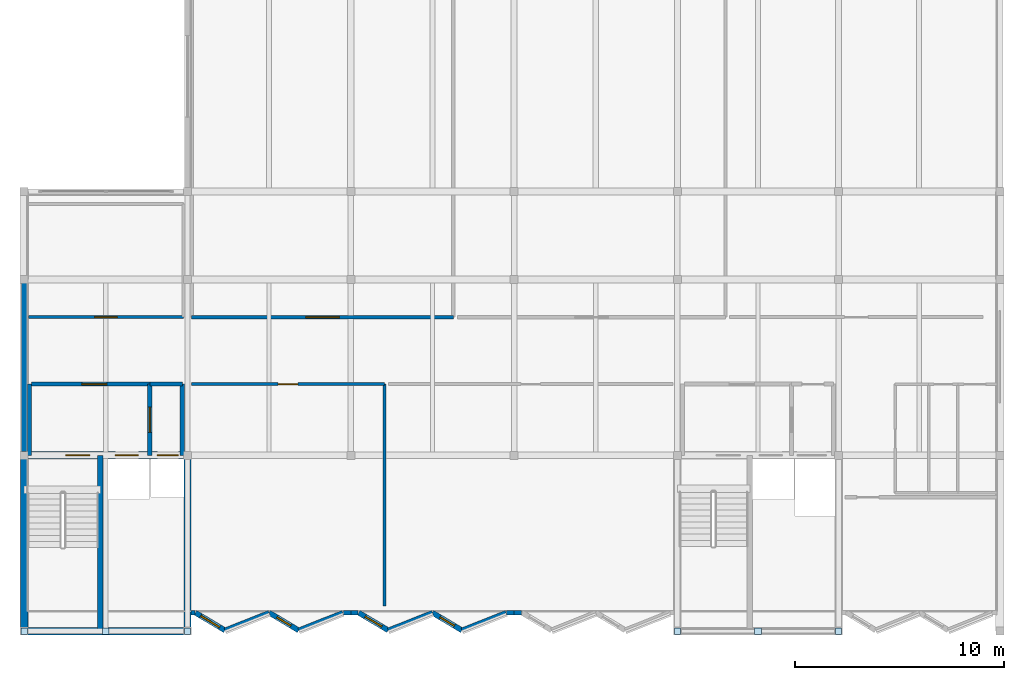
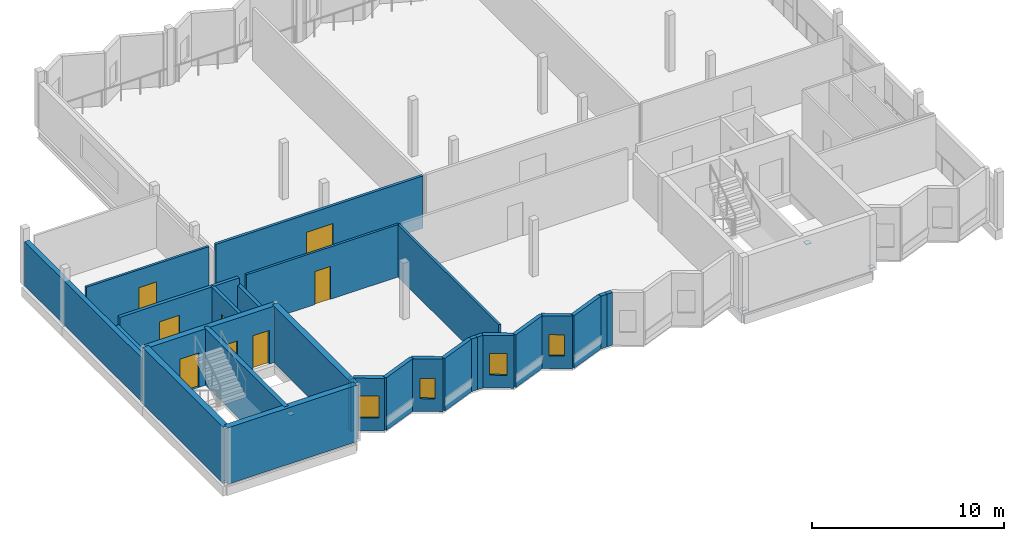
# One storey, part 4 of 11: 28 walls, 8 doors, 6 plates, 4 windows, 12 openings.
"""IFC4 building model written with IfcOpenShell, lengths in metres."""

import ifcopenshell
import ifcopenshell.guid

model = None  # the IFC model being written
_history = None  # IfcOwnerHistory: only IFC2X3 demands one
_inside = {}  # id of a spatial element -> (the spatial element, [elements in it])
_under = {}  # id of a project, library or spatial element -> (it, [spatial elements below it])
_declared = {}  # id of a project -> (the project, [libraries it declares])
_typed = {}  # id of a type object -> (the type object, [elements of that type])
_made_of = {}  # id of a material, layer set ... -> (it, [elements and type objects made of it])


def new_model(schema):
    """Start an empty IFC model of exactly this schema.

    Asked for "IFC4X3", IfcOpenShell would pick the latest addendum, in which some entities
    have other attributes; the version numbers below select the first issue.
    IFC2X3 requires an IfcOwnerHistory on every rooted entity: one is made here for all.
    """
    global model, _history
    if schema == "IFC4X3":
        model = ifcopenshell.file(schema_version=(4, 3, 0, 0))
    else:
        model = ifcopenshell.file(schema=schema)
    _inside.clear()
    _under.clear()
    _declared.clear()
    _typed.clear()
    _made_of.clear()
    _history = None
    if model.schema == "IFC2X3":
        org = make("IfcOrganization", Name="unknown")
        user = make(
            "IfcPersonAndOrganization",
            ThePerson=make("IfcPerson", FamilyName="unknown"),
            TheOrganization=org,
        )
        app = make(
            "IfcApplication",
            ApplicationDeveloper=org,
            Version="unknown",
            ApplicationFullName="unknown",
            ApplicationIdentifier="unknown",
        )
        _history = make(
            "IfcOwnerHistory",
            OwningUser=user,
            OwningApplication=app,
            ChangeAction="ADDED",
            CreationDate=0,
        )
    return model


def make(cls, **values):
    """One entity of the class cls with the attributes given. An attribute that is None is left unset."""
    return model.create_entity(
        cls, **{name: value for name, value in values.items() if value is not None}
    )


def rooted(cls, **values):
    """An entity with a GlobalId (a new one), such as an element, a storey or a relation."""
    return make(cls, GlobalId=ifcopenshell.guid.new(), OwnerHistory=_history, **values)


def si_unit(unit_type, name, prefix=None):
    """IfcSIUnit, for example si_unit("LENGTHUNIT", "METRE", prefix="MILLI")."""
    return make("IfcSIUnit", UnitType=unit_type, Prefix=prefix, Name=name)


def assignment(units):
    """IfcUnitAssignment: the units of a project."""
    return None if units is None else make("IfcUnitAssignment", Units=units)


def point(xyz):
    """IfcCartesianPoint."""
    return None if xyz is None else make("IfcCartesianPoint", Coordinates=xyz)


def direction(xyz):
    """IfcDirection."""
    return None if xyz is None else make("IfcDirection", DirectionRatios=xyz)


def frame(location, z_axis=None, x_axis=None):
    """IfcAxis2Placement3D, a coordinate frame: its origin and axes. An axis left out is left unset."""
    return make(
        "IfcAxis2Placement3D",
        Location=point(location),
        Axis=direction(z_axis),
        RefDirection=direction(x_axis),
    )


def frame_2d(location, x_axis=None):
    """IfcAxis2Placement2D, a coordinate frame in the plane: its origin and x axis."""
    return make(
        "IfcAxis2Placement2D", Location=point(location), RefDirection=direction(x_axis)
    )


def origin():
    """The frame at (0, 0, 0) with its axes left unset."""
    return frame((0.0, 0.0, 0.0))


def origin_2d():
    """The frame at (0, 0) in the plane with its x axis left unset."""
    return frame_2d((0.0, 0.0))


def place(relative_to, where):
    """IfcLocalPlacement: puts the frame where relative to a parent placement (None: the world)."""
    return make(
        "IfcLocalPlacement", PlacementRelTo=relative_to, RelativePlacement=where
    )


def context(
    kind, dimensions, precision=None, world=None, true_north=None, identifier=None
):
    """IfcGeometricRepresentationContext, for example the 3D "Model" context."""
    return make(
        "IfcGeometricRepresentationContext",
        ContextIdentifier=identifier,
        ContextType=kind,
        CoordinateSpaceDimension=dimensions,
        Precision=precision,
        WorldCoordinateSystem=world,
        TrueNorth=true_north,
    )


def subcontext(parent, identifier, kind, view, scale=None):
    """IfcGeometricRepresentationSubContext, for example "Body" below "Model"."""
    return make(
        "IfcGeometricRepresentationSubContext",
        ContextIdentifier=identifier,
        ContextType=kind,
        ParentContext=parent,
        TargetScale=scale,
        TargetView=view,
    )


def project(units=None, contexts=None):
    """IfcProject with its units and contexts."""
    return rooted(
        "IfcProject",
        Name="project",
        RepresentationContexts=contexts,
        UnitsInContext=assignment(units),
    )


def spatial(cls, under=None, at=None, **own):
    """A site, building, storey or space (cls), placed at a placement, below another one or the project."""
    s = rooted(cls, ObjectPlacement=at, **own)
    if under is not None:
        _under.setdefault(under.id(), (under, []))[1].append(s)
    return s


def profile(cls, at=None, kind="AREA", **sizes):
    """A parametric profile (cls). Its sizes go by their IFC names, for example OverallWidth=200.0."""
    return make(cls, ProfileType=kind, Position=at, **sizes)


def rectangle(**sizes):
    """IfcRectangleProfileDef."""
    return profile("IfcRectangleProfileDef", **sizes)


def extrude(swept, where, along, depth):
    """IfcExtrudedAreaSolid: the profile swept, set in the frame where, extruded along a direction by depth."""
    return make(
        "IfcExtrudedAreaSolid",
        SweptArea=swept,
        Position=where,
        ExtrudedDirection=direction(along),
        Depth=depth,
    )


def shape(context_of_items, identifier, shape_type, items):
    """IfcShapeRepresentation: the items that make up one representation, for example the "Body"."""
    return make(
        "IfcShapeRepresentation",
        ContextOfItems=context_of_items,
        RepresentationIdentifier=identifier,
        RepresentationType=shape_type,
        Items=items,
    )


def material(Name=None, Category=None):
    """IfcMaterial."""
    return make("IfcMaterial", Name=Name, Category=Category)


def layer(
    of_material, thickness, ventilated=None, Name=None, Category=None, Priority=None
):
    """IfcMaterialLayer: one layer of a wall or slab, of a material (None: an air gap)."""
    return make(
        "IfcMaterialLayer",
        Material=of_material,
        LayerThickness=thickness,
        IsVentilated=ventilated,
        Name=Name,
        Category=Category,
        Priority=Priority,
    )


def layer_set(layers, Name=None):
    """IfcMaterialLayerSet."""
    return make("IfcMaterialLayerSet", MaterialLayers=layers, LayerSetName=Name)


def made_of(thing, what):
    """Note that an element or type object is made of a material, layer set ...; save() writes the relation."""
    if what is not None:
        _made_of.setdefault(what.id(), (what, []))[1].append(thing)
    return thing


def type_object(cls, material=None, **own):
    """A type object (cls), such as IfcWallType, which elements share."""
    return made_of(rooted(cls, **own), material)


def element(
    cls,
    number,
    at=None,
    inside=None,
    cuts=None,
    type_object=None,
    material=None,
    context=None,
    identifier="Body",
    shape_type=None,
    held_by="IfcProductDefinitionShape",
    body=None,
    shapes=None,
    **own,
):
    """One element of the class cls, such as IfcWall. Its Tag is "e" and its number.

    at: its placement. inside: the storey or other place that contains it. cuts: it is an
    opening in that element (IfcRelVoidsElement). A single representation is given by context,
    identifier, shape_type and body (its items); several are given by shapes. held_by: the class
    of the entity that holds the representations. save() writes the other relations.
    """
    e = rooted(cls, Tag="e%d" % number, ObjectPlacement=at, **own)
    if body is not None:
        shapes = [shape(context, identifier, shape_type, body)]
    if shapes is not None:
        e.Representation = make(held_by, Representations=shapes)
    if inside is not None:
        _inside.setdefault(inside.id(), (inside, []))[1].append(e)
    if cuts is not None:
        rooted(
            "IfcRelVoidsElement", RelatingBuildingElement=cuts, RelatedOpeningElement=e
        )
    if type_object is not None:
        _typed.setdefault(type_object.id(), (type_object, []))[1].append(e)
    return made_of(e, material)


def fill(opening, filler):
    """IfcRelFillsElement: the door or window that sits in an opening."""
    return rooted(
        "IfcRelFillsElement",
        RelatingOpeningElement=opening,
        RelatedBuildingElement=filler,
    )


def aggregate(whole, parts):
    """IfcRelAggregates: a whole, such as a stair, and the parts it consists of."""
    return rooted("IfcRelAggregates", RelatingObject=whole, RelatedObjects=parts)


def save(model, path):
    """Write the relations noted so far, then the file.

    IfcRelAggregates (storeys below a building ...), IfcRelContainedInSpatialStructure (elements
    in a storey), IfcRelDefinesByType, IfcRelAssociatesMaterial and IfcRelDeclares: one each for
    every whole, place, type object, material and project.
    """
    for whole, parts in _under.values():
        aggregate(whole, parts)
    for where, things in _inside.values():
        rooted(
            "IfcRelContainedInSpatialStructure",
            RelatedElements=things,
            RelatingStructure=where,
        )
    for kind, things in _typed.values():
        rooted("IfcRelDefinesByType", RelatedObjects=things, RelatingType=kind)
    for what, things in _made_of.values():
        rooted("IfcRelAssociatesMaterial", RelatedObjects=things, RelatingMaterial=what)
    for by, libraries in _declared.values():
        rooted("IfcRelDeclares", RelatingContext=by, RelatedDefinitions=libraries)
    model.write(path)


model = new_model("IFC4")

# Units and contexts
model_context = context("Model", 3, precision=1e-05, world=origin(), true_north=direction((0.0, 1.0)))
body_context = subcontext(model_context, "Body", "Model", "MODEL_VIEW")
ifc_project = project(units=[si_unit("LENGTHUNIT", "METRE"), si_unit("AREAUNIT", "SQUARE_METRE"), si_unit("VOLUMEUNIT", "CUBIC_METRE"), si_unit("PLANEANGLEUNIT", "RADIAN"), si_unit("MASSUNIT", "GRAM", prefix="KILO")], contexts=[model_context])

# Site, building, storey
site_placement = place(None, origin())
site = spatial("IfcSite", under=ifc_project, at=site_placement, CompositionType="ELEMENT")
building_placement = place(site_placement, origin())
building = spatial("IfcBuilding", under=site, at=building_placement, Name="Vharandega Faculty of Natural Sciences", CompositionType="ELEMENT")
storey_placement = place(building_placement, frame((0.0, 0.0, 36.0)))
storey = spatial("IfcBuildingStorey", under=building, at=storey_placement, Name="L09", CompositionType="ELEMENT", Elevation=36.0)

# Plates
ifc_material_1 = material(Name="Steel S355", Category="steel")
ifc_layer_1 = layer(ifc_material_1, 0.02490234375, Name="Steel S355")
ifc_layer_set_1 = layer_set([ifc_layer_1], Name="Steel S355")
plate_type = type_object("IfcPlateType", Name="Hollow Section End Cap Plate 25mm", PredefinedType="USERDEFINED", material=ifc_layer_set_1)
plate_1_placement = place(storey_placement, frame((114.800048828125, 64.0, 0.137451171875), z_axis=(0.0, 0.0, 1.0), x_axis=(1.0, 0.0, 0.0)))
element("IfcPlate", 1, at=plate_1_placement, inside=storey, type_object=plate_type, Name="Node Cap Plate CHV-J-L09 #80", ObjectType="CAP PLATE", PredefinedType="USERDEFINED", context=body_context, shape_type="SweptSolid", body=[
    extrude(rectangle(XDim=0.300048828125, YDim=0.300048828125, at=origin_2d()), origin(), (0.0, 0.0, 1.0), 0.02490234375),
])
plate_2_placement = place(storey_placement, frame((118.699951171875, 64.0, 3.03759765625), z_axis=(0.0, 0.0, 1.0), x_axis=(1.0, 0.0, 0.0)))
element("IfcPlate", 2, at=plate_2_placement, inside=storey, type_object=plate_type, Name="Node Cap Plate CHV-J-L09 #81", ObjectType="CAP PLATE", PredefinedType="USERDEFINED", context=body_context, shape_type="SweptSolid", body=[
    extrude(rectangle(XDim=0.320068359375, YDim=0.320068359375, at=origin_2d()), origin(), (0.0, 0.0, 1.0), 0.02490234375),
])
for number, where, z_axis, x_axis, name in (
    (3, (122.60009765625, 64.0, 0.137451171875), (0.0, 0.0, 1.0), (1.0, 0.0, 0.0), "Node Cap Plate CHV-J-L09 #82"),
    (4, (146.0, 64.0, 0.137451171875), (0.0, 0.0, 1.0), (1.0, 0.0, 0.0), "Node Cap Plate CHV-J2-L09 #110"),
):
    element("IfcPlate", number, at=place(storey_placement, frame(where, z_axis=z_axis, x_axis=x_axis)), inside=storey, type_object=plate_type, Name=name, ObjectType="CAP PLATE", PredefinedType="USERDEFINED", context=body_context, shape_type="SweptSolid", body=[
        extrude(rectangle(XDim=0.300048828125, YDim=0.300048828125, at=origin_2d()), origin(), (0.0, 0.0, 1.0), 0.02490234375),
    ])
plate_3_placement = place(storey_placement, frame((149.85009765625, 64.0, 3.03759765625), z_axis=(0.0, 0.0, 1.0), x_axis=(1.0, 0.0, 0.0)))
element("IfcPlate", 5, at=plate_3_placement, inside=storey, type_object=plate_type, Name="Node Cap Plate CHV-J2-L09 #111", ObjectType="CAP PLATE", PredefinedType="USERDEFINED", context=body_context, shape_type="SweptSolid", body=[
    extrude(rectangle(XDim=0.320068359375, YDim=0.320068359375, at=origin_2d()), origin(), (0.0, 0.0, 1.0), 0.02490234375),
])
plate_4_placement = place(storey_placement, frame((153.699951171875, 64.0, 0.137451171875), z_axis=(0.0, 0.0, 1.0), x_axis=(1.0, 0.0, 0.0)))
element("IfcPlate", 6, at=plate_4_placement, inside=storey, type_object=plate_type, Name="Node Cap Plate CHV-J2-L09 #112", ObjectType="CAP PLATE", PredefinedType="USERDEFINED", context=body_context, shape_type="SweptSolid", body=[
    extrude(rectangle(XDim=0.300048828125, YDim=0.300048828125, at=origin_2d()), origin(), (0.0, 0.0, 1.0), 0.02490234375),
])

# Walls
ifc_material_2 = material(Name="Concrete C40/50", Category="concrete")
ifc_layer_2 = layer(ifc_material_2, 0.35009765625, Name="Concrete C40/50")
ifc_layer_set_2 = layer_set([ifc_layer_2], Name="Concrete C40/50")
wall_type_1 = type_object("IfcWallType", Name="Core Shear Wall 350", PredefinedType="SHEAR", material=ifc_layer_set_2)
wall_1_placement = place(storey_placement, frame((114.800048828125, 64.0, 0.0), z_axis=(0.0, 0.0, 1.0), x_axis=(1.0, 0.0, 0.0)))
element("IfcWall", 7, at=wall_1_placement, inside=storey, type_object=wall_type_1, Name="Interior Wall CW-C1-L09-S", PredefinedType="SHEAR", context=body_context, shape_type="SweptSolid", body=[
    extrude(rectangle(XDim=7.800048828125, YDim=0.35009765625, at=frame_2d((3.89990234375, 0.0))), origin(), (0.0, 0.0, 1.0), 3.60009765625),
])
for number, where, z_axis, x_axis, name in (
    (8, (114.800048828125, 64.0, 0.0), (0.0, 0.0, 1.0), (0.0, 1.0, 0.0), "Interior Wall CW-C1-L09-W"),
    (9, (122.60009765625, 64.0, 0.0), (0.0, 0.0, 1.0), (0.0, 1.0, 0.0), "Interior Wall CW-C1-L09-E"),
):
    element("IfcWall", number, at=place(storey_placement, frame(where, z_axis=z_axis, x_axis=x_axis)), inside=storey, type_object=wall_type_1, Name=name, PredefinedType="SHEAR", context=body_context, shape_type="SweptSolid", body=[
        extrude(rectangle(XDim=8.39990234375, YDim=0.35009765625, at=frame_2d((4.199951171875, 0.0))), origin(), (0.0, 0.0, 1.0), 3.60009765625),
    ])

# Wall, openings, doors
wall_2_placement = place(storey_placement, frame((114.800048828125, 72.39990234375, 0.0), z_axis=(0.0, 0.0, 1.0), x_axis=(1.0, 0.0, 0.0)))
wall_2 = element("IfcWall", 10, at=wall_2_placement, inside=storey, type_object=wall_type_1, Name="Interior Wall CW-C1-L09-N", PredefinedType="SHEAR", context=body_context, shape_type="SweptSolid", body=[
    extrude(rectangle(XDim=7.800048828125, YDim=0.35009765625, at=frame_2d((3.89990234375, 0.0))), origin(), (0.0, 0.0, 1.0), 3.60009765625),
])
opening_1_placement = place(wall_2_placement, frame((1.97998046875, 0.0, 0.0)))
opening_1 = element("IfcOpeningElement", 11, at=opening_1_placement, cuts=wall_2, Name="Opening FD1", PredefinedType="OPENING", context=body_context, shape_type="SweptSolid", body=[
    extrude(rectangle(XDim=1.14990234375, YDim=2.199951171875, at=frame_2d((0.574951171875, 1.10009765625))), frame((0.0, 0.18505859375, 0.0), z_axis=(0.0, -1.0, 0.0), x_axis=(1.0, 0.0, 0.0)), (0.0, 0.0, 1.0), 0.3701171875),
])
opening_2_placement = place(wall_2_placement, frame((4.35009765625, 0.0, 0.0)))
opening_2 = element("IfcOpeningElement", 12, at=opening_2_placement, cuts=wall_2, Name="Opening LD-FL1-L09", PredefinedType="OPENING", context=body_context, shape_type="SweptSolid", body=[
    extrude(rectangle(XDim=1.10009765625, YDim=2.14990234375, at=frame_2d((0.550048828125, 1.074951171875))), frame((0.0, 0.18505859375, 0.0), z_axis=(0.0, -1.0, 0.0), x_axis=(1.0, 0.0, 0.0)), (0.0, 0.0, 1.0), 0.3701171875),
])
opening_3_placement = place(wall_2_placement, frame((6.360107421875, 0.0, 0.0)))
opening_3 = element("IfcOpeningElement", 13, at=opening_3_placement, cuts=wall_2, Name="Opening LD-LP1-L09", PredefinedType="OPENING", context=body_context, shape_type="SweptSolid", body=[
    extrude(rectangle(XDim=1.0, YDim=2.14990234375, at=frame_2d((0.5, 1.074951171875))), frame((0.0, 0.18505859375, 0.0), z_axis=(0.0, -1.0, 0.0), x_axis=(1.0, 0.0, 0.0)), (0.0, 0.0, 1.0), 0.3701171875),
])
ifc_material_3 = material(Name="Solid-core hardwood timber fire door", Category="wood")
door_type_1 = type_object("IfcDoorType", Name="FD1-STAIR-1150x2200", OperationType="NOTDEFINED", PredefinedType="DOOR", material=ifc_material_3)
door_1_placement = place(opening_1_placement, origin())
door_1 = element("IfcDoor", 14, at=door_1_placement, inside=storey, type_object=door_type_1, Name="Stair ST1 Fire Door FD1", OperationType="SINGLE_SWING_LEFT", OverallHeight=2.199951171875, OverallWidth=1.14990234375, PredefinedType="DOOR", context=body_context, shape_type="SweptSolid", body=[
    extrude(rectangle(XDim=1.14990234375, YDim=2.199951171875, at=frame_2d((0.574951171875, 1.10009765625))), frame((0.0, 0.02490234375, 0.0), z_axis=(0.0, -1.0, 0.0), x_axis=(1.0, 0.0, 0.0)), (0.0, 0.0, 1.0), 0.050048828125),
])
fill(opening_1, door_1)
ifc_material_4 = material(Name="Brushed stainless steel sliding landing door", Category="steel")
door_type_2 = type_object("IfcDoorType", Name="LD1-FFLIFT-SLIDING-1100x2150", OperationType="DOUBLE_DOOR_SLIDING", PredefinedType="DOOR", material=ifc_material_4)
door_2_placement = place(opening_2_placement, origin())
door_2 = element("IfcDoor", 15, at=door_2_placement, inside=storey, type_object=door_type_2, Name="Lift Landing Door LD-FL1-L09", OperationType="DOUBLE_DOOR_SLIDING", OverallHeight=2.14990234375, OverallWidth=1.10009765625, PredefinedType="DOOR", context=body_context, shape_type="SweptSolid", body=[
    extrude(rectangle(XDim=1.10009765625, YDim=2.14990234375, at=frame_2d((0.550048828125, 1.074951171875))), frame((0.0, 0.02490234375, 0.0), z_axis=(0.0, -1.0, 0.0), x_axis=(1.0, 0.0, 0.0)), (0.0, 0.0, 1.0), 0.050048828125),
])
fill(opening_2, door_2)
ifc_material_5 = material(Name="Brushed stainless steel sliding landing door", Category="steel")
door_type_3 = type_object("IfcDoorType", Name="LD2-PAXLIFT-SLIDING-1000x2150", OperationType="DOUBLE_DOOR_SLIDING", PredefinedType="DOOR", material=ifc_material_5)
door_3_placement = place(opening_3_placement, origin())
door_3 = element("IfcDoor", 16, at=door_3_placement, inside=storey, type_object=door_type_3, Name="Lift Landing Door LD-LP1-L09", OperationType="DOUBLE_DOOR_SLIDING", OverallHeight=2.14990234375, OverallWidth=1.0, PredefinedType="DOOR", context=body_context, shape_type="SweptSolid", body=[
    extrude(rectangle(XDim=1.0, YDim=2.14990234375, at=frame_2d((0.5, 1.074951171875))), frame((0.0, 0.02490234375, 0.0), z_axis=(0.0, -1.0, 0.0), x_axis=(1.0, 0.0, 0.0)), (0.0, 0.0, 1.0), 0.050048828125),
])
fill(opening_3, door_3)

# Wall, opening, door
ifc_material_6 = material(Name="Concrete C40/50", Category="concrete")
ifc_layer_3 = layer(ifc_material_6, 0.199951171875, Name="Concrete C40/50")
ifc_layer_set_3 = layer_set([ifc_layer_3], Name="Concrete C40/50")
wall_type_2 = type_object("IfcWallType", Name="Firefighting Lobby Wall 200", PredefinedType="PARTITIONING", material=ifc_layer_set_3)
wall_3_placement = place(storey_placement, frame((115.14990234375, 75.800048828125, 0.0), z_axis=(0.0, 0.0, 1.0), x_axis=(1.0, 0.0, 0.0)))
wall_3 = element("IfcWall", 17, at=wall_3_placement, inside=storey, type_object=wall_type_2, Name="Interior Wall PW-FFL-C1-L09-N", PredefinedType="PARTITIONING", context=body_context, shape_type="SweptSolid", body=[
    extrude(rectangle(XDim=5.650146484375, YDim=0.199951171875, at=frame_2d((2.8251953125, 0.0))), origin(), (0.0, 0.0, 1.0), 3.320068359375),
])
opening_4_placement = place(wall_3_placement, frame((2.39990234375, 0.0, 0.0)))
opening_4 = element("IfcOpeningElement", 18, at=opening_4_placement, cuts=wall_3, Name="Opening FD2", PredefinedType="OPENING", context=body_context, shape_type="SweptSolid", body=[
    extrude(rectangle(XDim=1.199951171875, YDim=2.199951171875, at=frame_2d((0.60009765625, 1.10009765625))), frame((0.0, 0.10986328125, 0.0), z_axis=(0.0, -1.0, 0.0), x_axis=(1.0, 0.0, 0.0)), (0.0, 0.0, 1.0), 0.219970703125),
])
ifc_material_7 = material(Name="Solid-core hardwood timber fire door", Category="wood")
door_type_4 = type_object("IfcDoorType", Name="FD2-FFLOBBY-1200x2200", OperationType="NOTDEFINED", PredefinedType="DOOR", material=ifc_material_7)
door_4_placement = place(opening_4_placement, origin())
door_4 = element("IfcDoor", 19, at=door_4_placement, inside=storey, type_object=door_type_4, Name="Firefighting Lobby C1 Door FD2", OperationType="SINGLE_SWING_LEFT", OverallHeight=2.199951171875, OverallWidth=1.199951171875, PredefinedType="DOOR", context=body_context, shape_type="SweptSolid", body=[
    extrude(rectangle(XDim=1.199951171875, YDim=2.199951171875, at=frame_2d((0.60009765625, 1.10009765625))), frame((0.0, 0.02490234375, 0.0), z_axis=(0.0, -1.0, 0.0), x_axis=(1.0, 0.0, 0.0)), (0.0, 0.0, 1.0), 0.050048828125),
])
fill(opening_4, door_4)

# Wall
wall_4_placement = place(storey_placement, frame((115.050048828125, 72.39990234375, 0.0), z_axis=(0.0, 0.0, 1.0), x_axis=(0.0, 1.0, 0.0)))
element("IfcWall", 20, at=wall_4_placement, inside=storey, type_object=wall_type_2, Name="Interior Wall PW-FFL-C1-L09-W", PredefinedType="PARTITIONING", context=body_context, shape_type="SweptSolid", body=[
    extrude(rectangle(XDim=3.400146484375, YDim=0.199951171875, at=frame_2d((1.7001953125, 0.0))), origin(), (0.0, 0.0, 1.0), 2.800048828125),
])

# Wall, opening, door
wall_5_placement = place(storey_placement, frame((120.800048828125, 72.39990234375, 0.0), z_axis=(0.0, 0.0, 1.0), x_axis=(0.0, 1.0, 0.0)))
wall_5 = element("IfcWall", 21, at=wall_5_placement, inside=storey, type_object=wall_type_2, Name="Interior Wall PW-FFL-C1-L09-E", PredefinedType="PARTITIONING", context=body_context, shape_type="SweptSolid", body=[
    extrude(rectangle(XDim=3.400146484375, YDim=0.199951171875, at=frame_2d((1.7001953125, 0.0))), origin(), (0.0, 0.0, 1.0), 3.320068359375),
])
opening_5_placement = place(wall_5_placement, frame((1.10009765625, 0.0, 0.0)))
opening_5 = element("IfcOpeningElement", 22, at=opening_5_placement, cuts=wall_5, Name="Opening FD2", PredefinedType="OPENING", context=body_context, shape_type="SweptSolid", body=[
    extrude(rectangle(XDim=1.199951171875, YDim=2.199951171875, at=frame_2d((0.60009765625, 1.10009765625))), frame((0.0, 0.10986328125, 0.0), z_axis=(0.0, -1.0, 0.0), x_axis=(1.0, 0.0, 0.0)), (0.0, 0.0, 1.0), 0.219970703125),
])
door_5_placement = place(opening_5_placement, origin())
door_5 = element("IfcDoor", 23, at=door_5_placement, inside=storey, type_object=door_type_4, Name="Lobby Interconnect C1 Door FD2", OperationType="SINGLE_SWING_RIGHT", OverallHeight=2.199951171875, OverallWidth=1.199951171875, PredefinedType="DOOR", context=body_context, shape_type="SweptSolid", body=[
    extrude(rectangle(XDim=1.199951171875, YDim=2.199951171875, at=frame_2d((0.60009765625, 1.10009765625))), frame((0.0, 0.02490234375, 0.0), z_axis=(0.0, -1.0, 0.0), x_axis=(1.0, 0.0, 0.0)), (0.0, 0.0, 1.0), 0.050048828125),
])
fill(opening_5, door_5)

# Walls
wall_6_placement = place(storey_placement, frame((120.800048828125, 75.800048828125, 0.0), z_axis=(0.0, 0.0, 1.0), x_axis=(1.0, 0.0, 0.0)))
element("IfcWall", 24, at=wall_6_placement, inside=storey, type_object=wall_type_2, Name="Interior Wall PW-LL-C1-L09-N", PredefinedType="PARTITIONING", context=body_context, shape_type="SweptSolid", body=[
    extrude(rectangle(XDim=1.550048828125, YDim=0.199951171875, at=frame_2d((0.77490234375, 0.0))), origin(), (0.0, 0.0, 1.0), 3.320068359375),
])
wall_7_placement = place(storey_placement, frame((122.35009765625, 72.39990234375, 0.0), z_axis=(0.0, 0.0, 1.0), x_axis=(0.0, 1.0, 0.0)))
element("IfcWall", 25, at=wall_7_placement, inside=storey, type_object=wall_type_2, Name="Interior Wall PW-LL-C1-L09-E", PredefinedType="PARTITIONING", context=body_context, shape_type="SweptSolid", body=[
    extrude(rectangle(XDim=3.400146484375, YDim=0.199951171875, at=frame_2d((1.7001953125, 0.0))), origin(), (0.0, 0.0, 1.0), 2.8798828125),
])

# Wall, opening, door
ifc_material_8 = material(Name="Gypsum fire-board on steel stud", Category="steel")
ifc_layer_4 = layer(ifc_material_8, 0.159912109375, Name="Gypsum fire-board on steel stud")
ifc_layer_set_4 = layer_set([ifc_layer_4], Name="Gypsum fire-board on steel stud")
wall_type_3 = type_object("IfcWallType", Name="Laboratory Fire Corridor Wall 160", PredefinedType="PARTITIONING", material=ifc_layer_set_4)
wall_8_placement = place(storey_placement, frame((122.800048828125, 79.0, 0.0), z_axis=(0.0, 0.0, 1.0), x_axis=(1.0, 0.0, 0.0)))
wall_8 = element("IfcWall", 26, at=wall_8_placement, inside=storey, type_object=wall_type_3, Name="Interior Wall PW-L09-R08S", PredefinedType="PARTITIONING", context=body_context, shape_type="SweptSolid", body=[
    extrude(rectangle(XDim=12.5, YDim=0.159912109375, at=frame_2d((6.25, 0.0))), origin(), (0.0, 0.0, 1.0), 3.340087890625),
])
opening_6_placement = place(wall_8_placement, frame((5.449951171875, 0.0, 0.0)))
opening_6 = element("IfcOpeningElement", 27, at=opening_6_placement, cuts=wall_8, Name="Opening FD3", PredefinedType="OPENING", context=body_context, shape_type="SweptSolid", body=[
    extrude(rectangle(XDim=1.60009765625, YDim=2.199951171875, at=frame_2d((0.800048828125, 1.10009765625))), frame((0.0, 0.08984375, 0.0), z_axis=(0.0, -1.0, 0.0), x_axis=(1.0, 0.0, 0.0)), (0.0, 0.0, 1.0), 0.179931640625),
])
ifc_material_9 = material(Name="Solid-core hardwood timber fire door", Category="wood")
door_type_5 = type_object("IfcDoorType", Name="FD3-LAB-DBL-1600x2200", OperationType="DOUBLE_DOOR_SINGLE_SWING", PredefinedType="DOOR", material=ifc_material_9)
door_6_placement = place(opening_6_placement, origin())
door_6 = element("IfcDoor", 28, at=door_6_placement, inside=storey, type_object=door_type_5, Name="Ecology and Biodiversity Research Laboratory Door FD3", OperationType="DOUBLE_DOOR_SINGLE_SWING", OverallHeight=2.199951171875, OverallWidth=1.60009765625, PredefinedType="DOOR", context=body_context, shape_type="SweptSolid", body=[
    extrude(rectangle(XDim=1.60009765625, YDim=2.199951171875, at=frame_2d((0.800048828125, 1.10009765625))), frame((0.0, 0.02490234375, 0.0), z_axis=(0.0, -1.0, 0.0), x_axis=(1.0, 0.0, 0.0)), (0.0, 0.0, 1.0), 0.050048828125),
])
fill(opening_6, door_6)

# Wall
ifc_material_10 = material(Name="Concrete C40/50", Category="concrete")
ifc_layer_5 = layer(ifc_material_10, 0.260009765625, Name="Concrete C40/50")
ifc_layer_set_5 = layer_set([ifc_layer_5], Name="Concrete C40/50")
wall_type_4 = type_object("IfcWallType", Name="Lift Shaft Shear Wall 260", PredefinedType="SHEAR", material=ifc_layer_set_5)
wall_9_placement = place(storey_placement, frame((118.43994140625, 64.0, 0.0), z_axis=(0.0, 0.0, 1.0), x_axis=(0.0, 1.0, 0.0)))
element("IfcWall", 29, at=wall_9_placement, inside=storey, type_object=wall_type_4, Name="Interior Wall CW-C1-L09-DIV", PredefinedType="SHEAR", context=body_context, shape_type="SweptSolid", body=[
    extrude(rectangle(XDim=8.39990234375, YDim=0.260009765625, at=frame_2d((4.199951171875, 0.0))), origin(), (0.0, 0.0, 1.0), 3.60009765625),
])

# Wall, opening, door
ifc_material_11 = material(Name="Gypsum acoustic partition", Category="gypsum")
ifc_layer_6 = layer(ifc_material_11, 0.139892578125, Name="Gypsum acoustic partition")
ifc_layer_set_6 = layer_set([ifc_layer_6], Name="Gypsum acoustic partition")
wall_type_5 = type_object("IfcWallType", Name="Room Partition Wall 140", PredefinedType="PARTITIONING", material=ifc_layer_set_6)
wall_10_placement = place(storey_placement, frame((115.0, 79.0, 0.0), z_axis=(0.0, 0.0, 1.0), x_axis=(1.0, 0.0, 0.0)))
wall_10 = element("IfcWall", 30, at=wall_10_placement, inside=storey, type_object=wall_type_5, Name="Interior Wall PW-L09-R01S", PredefinedType="PARTITIONING", context=body_context, shape_type="SweptSolid", body=[
    extrude(rectangle(XDim=7.39990234375, YDim=0.139892578125, at=frame_2d((3.699951171875, 0.0))), origin(), (0.0, 0.0, 1.0), 3.340087890625),
])
opening_7_placement = place(wall_10_placement, frame((3.159912109375, 0.0, 0.0)))
opening_7 = element("IfcOpeningElement", 31, at=opening_7_placement, cuts=wall_10, Name="Opening D0362", PredefinedType="OPENING", context=body_context, shape_type="SweptSolid", body=[
    extrude(rectangle(XDim=1.080078125, YDim=2.199951171875, at=frame_2d((0.5400390625, 1.10009765625))), frame((0.0, 0.080078125, 0.0), z_axis=(0.0, -1.0, 0.0), x_axis=(1.0, 0.0, 0.0)), (0.0, 0.0, 1.0), 0.159912109375),
])
ifc_material_12 = material(Name="Solid-core hardwood timber fire door", Category="wood")
door_type_6 = type_object("IfcDoorType", Name="ID03-SEMINAR-1080x2200", OperationType="NOTDEFINED", PredefinedType="DOOR", material=ifc_material_12)
door_7_placement = place(opening_7_placement, origin())
door_7 = element("IfcDoor", 32, at=door_7_placement, inside=storey, type_object=door_type_6, Name="Seed Bank Controlled-Environment Room Door D0362", OperationType="SINGLE_SWING_LEFT", OverallHeight=2.199951171875, OverallWidth=1.080078125, PredefinedType="DOOR", context=body_context, shape_type="SweptSolid", body=[
    extrude(rectangle(XDim=1.080078125, YDim=2.199951171875, at=frame_2d((0.5400390625, 1.10009765625))), frame((0.0, 0.02490234375, 0.0), z_axis=(0.0, -1.0, 0.0), x_axis=(1.0, 0.0, 0.0)), (0.0, 0.0, 1.0), 0.050048828125),
])
fill(opening_7, door_7)

wall_11_placement = place(storey_placement, frame((122.800048828125, 75.800048828125, 0.0), z_axis=(0.0, 0.0, 1.0), x_axis=(1.0, 0.0, 0.0)))
wall_11 = element("IfcWall", 33, at=wall_11_placement, inside=storey, type_object=wall_type_5, Name="Interior Wall PW-L09-R02N", PredefinedType="PARTITIONING", context=body_context, shape_type="SweptSolid", body=[
    extrude(rectangle(XDim=9.199951171875, YDim=0.139892578125, at=frame_2d((4.60009765625, 0.0))), origin(), (0.0, 0.0, 1.0), 3.340087890625),
])
opening_8_placement = place(wall_11_placement, frame((4.125, 0.0, 0.0)))
opening_8 = element("IfcOpeningElement", 34, at=opening_8_placement, cuts=wall_11, Name="Opening D0363", PredefinedType="OPENING", context=body_context, shape_type="SweptSolid", body=[
    extrude(rectangle(XDim=0.949951171875, YDim=2.10009765625, at=frame_2d((0.47509765625, 1.050048828125))), frame((0.0, 0.080078125, 0.0), z_axis=(0.0, -1.0, 0.0), x_axis=(1.0, 0.0, 0.0)), (0.0, 0.0, 1.0), 0.159912109375),
])
ifc_material_13 = material(Name="Solid-core hardwood timber fire door", Category="wood")
door_type_7 = type_object("IfcDoorType", Name="ID04-OFFICE-0950x2100", OperationType="NOTDEFINED", PredefinedType="DOOR", material=ifc_material_13)
door_8_placement = place(opening_8_placement, origin())
door_8 = element("IfcDoor", 35, at=door_8_placement, inside=storey, type_object=door_type_7, Name="Academic Staff Office Suite 9A Door D0363", OperationType="SINGLE_SWING_RIGHT", OverallHeight=2.10009765625, OverallWidth=0.949951171875, PredefinedType="DOOR", context=body_context, shape_type="SweptSolid", body=[
    extrude(rectangle(XDim=0.949951171875, YDim=2.10009765625, at=frame_2d((0.47509765625, 1.050048828125))), frame((0.0, 0.02490234375, 0.0), z_axis=(0.0, -1.0, 0.0), x_axis=(1.0, 0.0, 0.0)), (0.0, 0.0, 1.0), 0.050048828125),
])
fill(opening_8, door_8)

# Wall
wall_12_placement = place(storey_placement, frame((132.0, 65.199951171875, 0.0), z_axis=(0.0, 0.0, 1.0), x_axis=(0.0, 1.0, 0.0)))
element("IfcWall", 36, at=wall_12_placement, inside=storey, type_object=wall_type_5, Name="Interior Wall PW-L09-R02E", PredefinedType="PARTITIONING", context=body_context, shape_type="SweptSolid", body=[
    extrude(rectangle(XDim=10.60009765625, YDim=0.139892578125, at=frame_2d((5.300048828125, 0.0))), origin(), (0.0, 0.0, 1.0), 3.340087890625),
])

# Wall, opening, window
ifc_material_14 = material(Name="Precast concrete C40/50", Category="concrete")
ifc_layer_7 = layer(ifc_material_14, 0.25, Name="Precast concrete C40/50")
ifc_layer_set_7 = layer_set([ifc_layer_7], Name="Precast concrete C40/50")
wall_type_6 = type_object("IfcWallType", Name="Sawtooth Glazed-Face Precast Wall 250", PredefinedType="SOLIDWALL", material=ifc_layer_set_7)
wall_13_placement = place(storey_placement, frame((124.387939453125, 64.0400390625, 0.0), z_axis=(0.0, 0.0, 1.0), x_axis=(-0.858817206091, 0.512282155185, 0.0)))
wall_13 = element("IfcWall", 37, at=wall_13_placement, inside=storey, type_object=wall_type_6, Name="Exterior Wall EW-SAW-L09-S01G", PredefinedType="SOLIDWALL", context=body_context, shape_type="SweptSolid", body=[
    extrude(rectangle(XDim=1.639404296875, YDim=0.25, at=frame_2d((0.81982421875, 0.0))), origin(), (0.0, 0.0, 1.0), 3.360107421875),
])
opening_9_placement = place(wall_13_placement, frame((0.294921875, 0.0, 0.820068359375)))
opening_9 = element("IfcOpeningElement", 38, at=opening_9_placement, cuts=wall_13, Name="Opening WN-06", PredefinedType="OPENING", context=body_context, shape_type="SweptSolid", body=[
    extrude(rectangle(XDim=1.050048828125, YDim=1.39990234375, at=frame_2d((0.52490234375, 0.699951171875))), frame((0.0, 0.135009765625, 0.0), z_axis=(0.0, -1.0, 0.0), x_axis=(1.0, 0.0, 0.0)), (0.0, 0.0, 1.0), 0.27001953125),
])
ifc_material_15 = material(Name="Double-glazed solar-control glass in thermally broken aluminium frame", Category="aluminium")
window_type_1 = type_object("IfcWindowType", Name="WIN-SAW-105x140", PartitioningType="SINGLE_PANEL", PredefinedType="WINDOW", material=ifc_material_15)
window_1_placement = place(opening_9_placement, origin())
window_1 = element("IfcWindow", 39, at=window_1_placement, inside=storey, type_object=window_type_1, Name="Window WIN-L09-0099", OverallHeight=1.39990234375, OverallWidth=1.050048828125, PartitioningType="SINGLE_PANEL", PredefinedType="WINDOW", context=body_context, shape_type="SweptSolid", body=[
    extrude(rectangle(XDim=1.050048828125, YDim=1.39990234375, at=frame_2d((0.52490234375, 0.699951171875))), frame((0.0, 0.030029296875, 0.0), z_axis=(0.0, -1.0, 0.0), x_axis=(1.0, 0.0, 0.0)), (0.0, 0.0, 1.0), 0.06005859375),
])
fill(opening_9, window_1)

wall_14_placement = place(storey_placement, frame((127.907958984375, 64.0400390625, 0.0), z_axis=(0.0, 0.0, 1.0), x_axis=(-0.858817206091, 0.512282155185, 0.0)))
wall_14 = element("IfcWall", 40, at=wall_14_placement, inside=storey, type_object=wall_type_6, Name="Exterior Wall EW-SAW-L09-S02G", PredefinedType="SOLIDWALL", context=body_context, shape_type="SweptSolid", body=[
    extrude(rectangle(XDim=1.639404296875, YDim=0.25, at=frame_2d((0.81982421875, 0.0))), origin(), (0.0, 0.0, 1.0), 3.360107421875),
])
opening_10_placement = place(wall_14_placement, frame((0.4296875, 0.0, 0.820068359375)))
opening_10 = element("IfcOpeningElement", 41, at=opening_10_placement, cuts=wall_14, Name="Opening WN-06A", PredefinedType="OPENING", context=body_context, shape_type="SweptSolid", body=[
    extrude(rectangle(XDim=0.780029296875, YDim=1.300048828125, at=frame_2d((0.39013671875, 0.64990234375))), frame((0.0, 0.135009765625, 0.0), z_axis=(0.0, -1.0, 0.0), x_axis=(1.0, 0.0, 0.0)), (0.0, 0.0, 1.0), 0.27001953125),
])
ifc_material_16 = material(Name="Double-glazed solar-control glass in thermally broken aluminium frame", Category="aluminium")
window_type_2 = type_object("IfcWindowType", Name="WIN-SAW-078x130", PartitioningType="SINGLE_PANEL", PredefinedType="WINDOW", material=ifc_material_16)
window_2_placement = place(opening_10_placement, origin())
window_2 = element("IfcWindow", 42, at=window_2_placement, inside=storey, type_object=window_type_2, Name="Window WIN-L09-0100", OverallHeight=1.300048828125, OverallWidth=0.780029296875, PartitioningType="SINGLE_PANEL", PredefinedType="WINDOW", context=body_context, shape_type="SweptSolid", body=[
    extrude(rectangle(XDim=0.780029296875, YDim=1.300048828125, at=frame_2d((0.39013671875, 0.64990234375))), frame((0.0, 0.030029296875, 0.0), z_axis=(0.0, -1.0, 0.0), x_axis=(1.0, 0.0, 0.0)), (0.0, 0.0, 1.0), 0.06005859375),
])
fill(opening_10, window_2)

wall_15_placement = place(storey_placement, frame((132.18798828125, 64.0400390625, 0.0), z_axis=(0.0, 0.0, 1.0), x_axis=(-0.858817206091, 0.512282155185, 0.0)))
wall_15 = element("IfcWall", 43, at=wall_15_placement, inside=storey, type_object=wall_type_6, Name="Exterior Wall EW-SAW-L09-S03G", PredefinedType="SOLIDWALL", context=body_context, shape_type="SweptSolid", body=[
    extrude(rectangle(XDim=1.639404296875, YDim=0.25, at=frame_2d((0.81982421875, 0.0))), origin(), (0.0, 0.0, 1.0), 3.360107421875),
])
opening_11_placement = place(wall_15_placement, frame((0.35986328125, 0.0, 0.820068359375)))
opening_11 = element("IfcOpeningElement", 44, at=opening_11_placement, cuts=wall_15, Name="Opening WN-06B", PredefinedType="OPENING", context=body_context, shape_type="SweptSolid", body=[
    extrude(rectangle(XDim=0.919921875, YDim=1.3798828125, at=frame_2d((0.4599609375, 0.68994140625))), frame((0.0, 0.135009765625, 0.0), z_axis=(0.0, -1.0, 0.0), x_axis=(1.0, 0.0, 0.0)), (0.0, 0.0, 1.0), 0.27001953125),
])
ifc_material_17 = material(Name="Double-glazed solar-control glass in thermally broken aluminium frame", Category="aluminium")
window_type_3 = type_object("IfcWindowType", Name="WIN-SAW-092x138", PartitioningType="SINGLE_PANEL", PredefinedType="WINDOW", material=ifc_material_17)
window_3_placement = place(opening_11_placement, origin())
window_3 = element("IfcWindow", 45, at=window_3_placement, inside=storey, type_object=window_type_3, Name="Window WIN-L09-0101", OverallHeight=1.3798828125, OverallWidth=0.919921875, PartitioningType="SINGLE_PANEL", PredefinedType="WINDOW", context=body_context, shape_type="SweptSolid", body=[
    extrude(rectangle(XDim=0.919921875, YDim=1.3798828125, at=frame_2d((0.4599609375, 0.68994140625))), frame((0.0, 0.030029296875, 0.0), z_axis=(0.0, -1.0, 0.0), x_axis=(1.0, 0.0, 0.0)), (0.0, 0.0, 1.0), 0.06005859375),
])
fill(opening_11, window_3)

wall_16_placement = place(storey_placement, frame((135.7080078125, 64.0400390625, 0.0), z_axis=(0.0, 0.0, 1.0), x_axis=(-0.858817206091, 0.512282155185, 0.0)))
wall_16 = element("IfcWall", 46, at=wall_16_placement, inside=storey, type_object=wall_type_6, Name="Exterior Wall EW-SAW-L09-S04G", PredefinedType="SOLIDWALL", context=body_context, shape_type="SweptSolid", body=[
    extrude(rectangle(XDim=1.639404296875, YDim=0.25, at=frame_2d((0.81982421875, 0.0))), origin(), (0.0, 0.0, 1.0), 3.360107421875),
])
opening_12_placement = place(wall_16_placement, frame((0.419921875, 0.0, 0.820068359375)))
opening_12 = element("IfcOpeningElement", 47, at=opening_12_placement, cuts=wall_16, Name="Opening WN-01", PredefinedType="OPENING", context=body_context, shape_type="SweptSolid", body=[
    extrude(rectangle(XDim=0.800048828125, YDim=1.35009765625, at=frame_2d((0.39990234375, 0.675048828125))), frame((0.0, 0.135009765625, 0.0), z_axis=(0.0, -1.0, 0.0), x_axis=(1.0, 0.0, 0.0)), (0.0, 0.0, 1.0), 0.27001953125),
])
ifc_material_18 = material(Name="Double-glazed solar-control glass in thermally broken aluminium frame", Category="aluminium")
window_type_4 = type_object("IfcWindowType", Name="WIN-SAW-080x135", PartitioningType="SINGLE_PANEL", PredefinedType="WINDOW", material=ifc_material_18)
window_4_placement = place(opening_12_placement, origin())
window_4 = element("IfcWindow", 48, at=window_4_placement, inside=storey, type_object=window_type_4, Name="Window WIN-L09-0102", OverallHeight=1.35009765625, OverallWidth=0.800048828125, PartitioningType="SINGLE_PANEL", PredefinedType="WINDOW", context=body_context, shape_type="SweptSolid", body=[
    extrude(rectangle(XDim=0.800048828125, YDim=1.35009765625, at=frame_2d((0.39990234375, 0.675048828125))), frame((0.0, 0.030029296875, 0.0), z_axis=(0.0, -1.0, 0.0), x_axis=(1.0, 0.0, 0.0)), (0.0, 0.0, 1.0), 0.06005859375),
])
fill(opening_12, window_4)

# Walls
ifc_material_19 = material(Name="Precast concrete C40/50", Category="concrete")
ifc_layer_8 = layer(ifc_material_19, 0.22998046875, Name="Precast concrete C40/50")
ifc_layer_set_8 = layer_set([ifc_layer_8], Name="Precast concrete C40/50")
wall_type_7 = type_object("IfcWallType", Name="Sawtooth Solid White Precast Wall 230", PredefinedType="SOLIDWALL", material=ifc_layer_set_8)
wall_17_placement = place(storey_placement, frame((122.949951171875, 64.8798828125, 0.0), z_axis=(0.0, 0.0, 1.0), x_axis=(-1.0, 0.0, 0.0)))
element("IfcWall", 49, at=wall_17_placement, inside=storey, type_object=wall_type_7, Name="Exterior Wall EW-SHL-L09-S1617FL", PredefinedType="SOLIDWALL", context=body_context, shape_type="SweptSolid", body=[
    extrude(rectangle(XDim=0.179931640625, YDim=0.22998046875, at=frame_2d((0.08984375, 0.0))), origin(), (0.0, 0.0, 1.0), 3.360107421875),
])
wall_18_placement = place(storey_placement, frame((130.39990234375, 64.8798828125, 0.0), z_axis=(0.0, 0.0, 1.0), x_axis=(-1.0, 0.0, 0.0)))
element("IfcWall", 50, at=wall_18_placement, inside=storey, type_object=wall_type_7, Name="Exterior Wall EW-SHL-L09-S1617FR", PredefinedType="SOLIDWALL", context=body_context, shape_type="SweptSolid", body=[
    extrude(rectangle(XDim=0.35986328125, YDim=0.22998046875, at=frame_2d((0.179931640625, 0.0))), origin(), (0.0, 0.0, 1.0), 3.360107421875),
])
wall_19_placement = place(storey_placement, frame((130.75, 64.8798828125, 0.0), z_axis=(0.0, 0.0, 1.0), x_axis=(-1.0, 0.0, 0.0)))
element("IfcWall", 51, at=wall_19_placement, inside=storey, type_object=wall_type_7, Name="Exterior Wall EW-SHL-L09-S1718FL", PredefinedType="SOLIDWALL", context=body_context, shape_type="SweptSolid", body=[
    extrude(rectangle(XDim=0.35009765625, YDim=0.22998046875, at=frame_2d((0.175048828125, 0.0))), origin(), (0.0, 0.0, 1.0), 3.360107421875),
])
wall_20_placement = place(storey_placement, frame((138.199951171875, 64.8798828125, 0.0), z_axis=(0.0, 0.0, 1.0), x_axis=(-1.0, 0.0, 0.0)))
element("IfcWall", 52, at=wall_20_placement, inside=storey, type_object=wall_type_7, Name="Exterior Wall EW-SHL-L09-S1718FR", PredefinedType="SOLIDWALL", context=body_context, shape_type="SweptSolid", body=[
    extrude(rectangle(XDim=0.35986328125, YDim=0.22998046875, at=frame_2d((0.179931640625, 0.0))), origin(), (0.0, 0.0, 1.0), 3.360107421875),
])
wall_21_placement = place(storey_placement, frame((138.550048828125, 64.8798828125, 0.0), z_axis=(0.0, 0.0, 1.0), x_axis=(-1.0, 0.0, 0.0)))
element("IfcWall", 53, at=wall_21_placement, inside=storey, type_object=wall_type_7, Name="Exterior Wall EW-SHL-L09-S1819FL", PredefinedType="SOLIDWALL", context=body_context, shape_type="SweptSolid", body=[
    extrude(rectangle(XDim=0.35009765625, YDim=0.22998046875, at=frame_2d((0.175048828125, 0.0))), origin(), (0.0, 0.0, 1.0), 3.360107421875),
])
for number, where, z_axis, x_axis, name in (
    (54, (126.5, 64.8798828125, 0.0), (0.0, 0.0, 1.0), (-0.929230364612, -0.369500919462, 0.0), "Exterior Wall EW-SAW-L09-S01S"),
    (55, (130.02001953125, 64.8798828125, 0.0), (0.0, 0.0, 1.0), (-0.929230364612, -0.369500919462, 0.0), "Exterior Wall EW-SAW-L09-S02S"),
    (56, (134.300048828125, 64.8798828125, 0.0), (0.0, 0.0, 1.0), (-0.929230364612, -0.369500919462, 0.0), "Exterior Wall EW-SAW-L09-S03S"),
    (57, (137.820068359375, 64.8798828125, 0.0), (0.0, 0.0, 1.0), (-0.929230364612, -0.369500919462, 0.0), "Exterior Wall EW-SAW-L09-S04S"),
):
    element("IfcWall", number, at=place(storey_placement, frame(where, z_axis=z_axis, x_axis=x_axis)), inside=storey, type_object=wall_type_7, Name=name, PredefinedType="SOLIDWALL", context=body_context, shape_type="SweptSolid", body=[
        extrude(rectangle(XDim=2.27294921875, YDim=0.22998046875, at=frame_2d((1.136474609375, 0.0))), origin(), (0.0, 0.0, 1.0), 3.360107421875),
    ])
ifc_material_20 = material(Name="Precast concrete C40/50", Category="concrete")
ifc_layer_9 = layer(ifc_material_20, 0.280029296875, Name="Precast concrete C40/50")
ifc_layer_set_9 = layer_set([ifc_layer_9], Name="Precast concrete C40/50")
wall_type_8 = type_object("IfcWallType", Name="White Precast End Wall 280", PredefinedType="SOLIDWALL", material=ifc_layer_set_9)
wall_22_placement = place(storey_placement, frame((114.800048828125, 72.587890625, 0.0), z_axis=(0.0, 0.0, 1.0), x_axis=(0.0, 1.0, 0.0)))
element("IfcWall", 58, at=wall_22_placement, inside=storey, type_object=wall_type_8, Name="Exterior Wall EW-L09-V4C1W", PredefinedType="SOLIDWALL", context=body_context, shape_type="SweptSolid", body=[
    extrude(rectangle(XDim=12.22412109375, YDim=0.280029296875, at=frame_2d((6.112060546875, 0.0))), origin(), (0.0, 0.0, 1.0), 2.800048828125),
])

save(model, "model.ifc")
